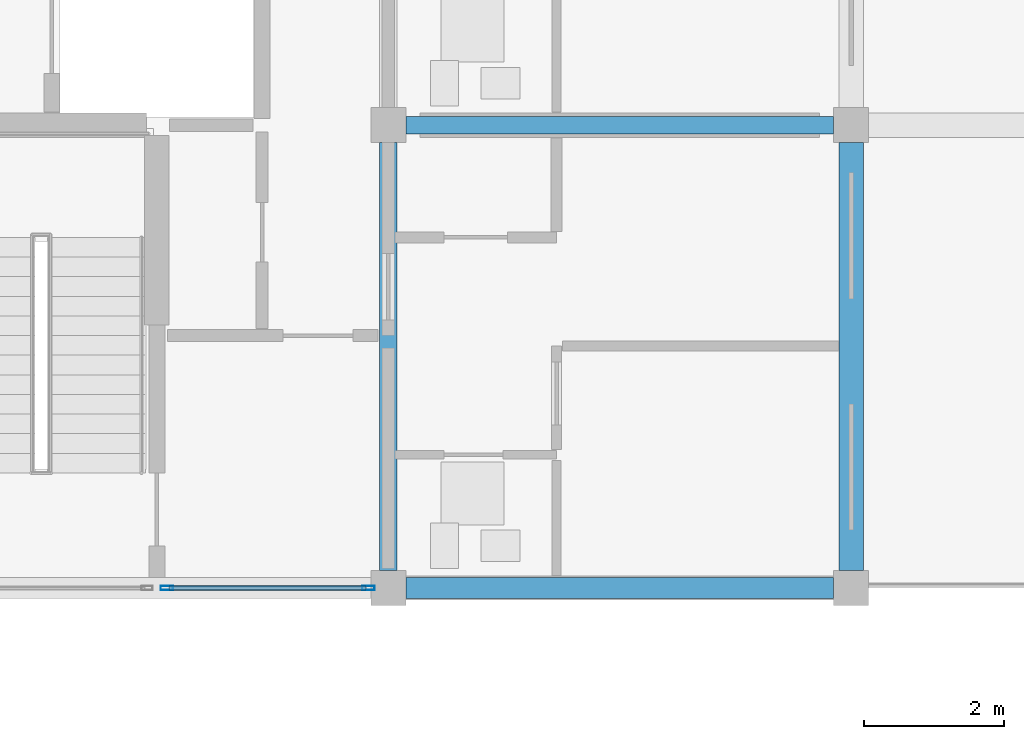
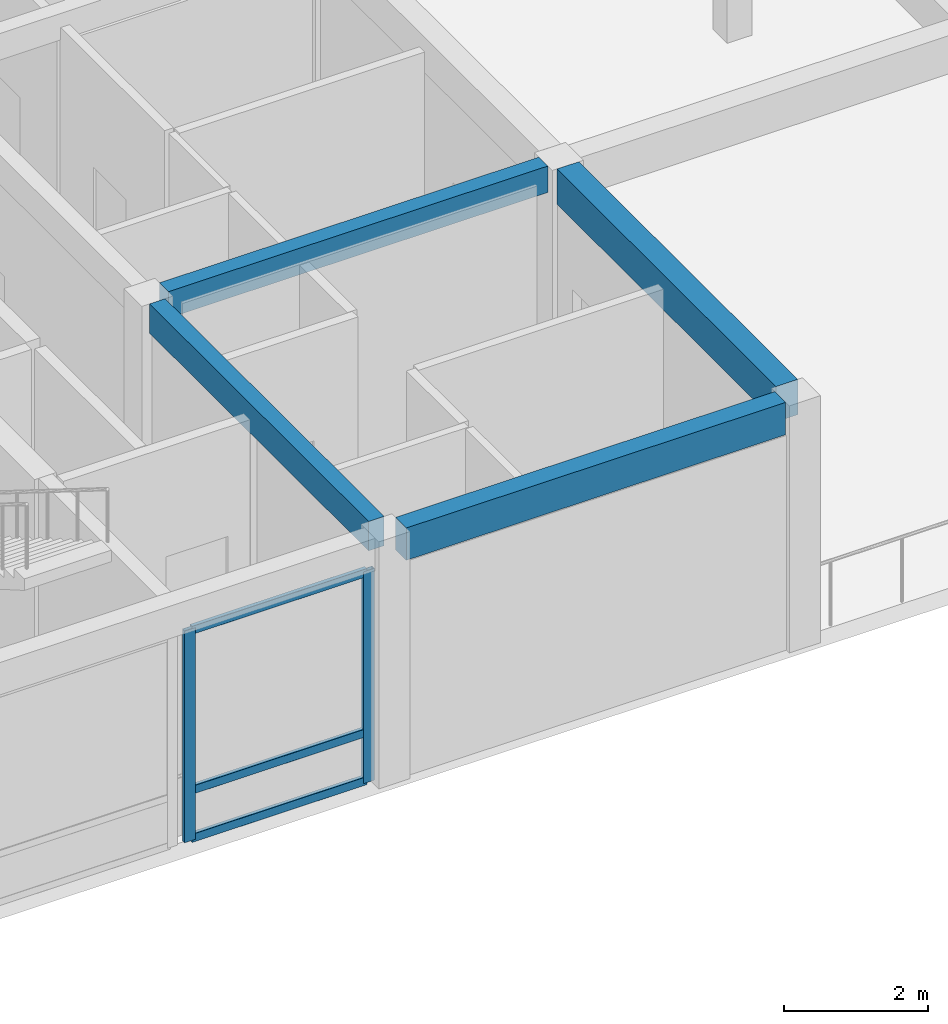
# One storey, part 43 of 92: 5 members, 4 beams, 1 element without a shape of its own.
"""IFC4 building model written with IfcOpenShell, lengths in metres."""

import ifcopenshell
import ifcopenshell.guid

model = None  # the IFC model being written
_history = None  # IfcOwnerHistory: only IFC2X3 demands one
_inside = {}  # id of a spatial element -> (the spatial element, [elements in it])
_under = {}  # id of a project, library or spatial element -> (it, [spatial elements below it])
_declared = {}  # id of a project -> (the project, [libraries it declares])
_typed = {}  # id of a type object -> (the type object, [elements of that type])
_made_of = {}  # id of a material, layer set ... -> (it, [elements and type objects made of it])


def new_model(schema):
    """Start an empty IFC model of exactly this schema.

    Asked for "IFC4X3", IfcOpenShell would pick the latest addendum, in which some entities
    have other attributes; the version numbers below select the first issue.
    IFC2X3 requires an IfcOwnerHistory on every rooted entity: one is made here for all.
    """
    global model, _history
    if schema == "IFC4X3":
        model = ifcopenshell.file(schema_version=(4, 3, 0, 0))
    else:
        model = ifcopenshell.file(schema=schema)
    _inside.clear()
    _under.clear()
    _declared.clear()
    _typed.clear()
    _made_of.clear()
    _history = None
    if model.schema == "IFC2X3":
        org = make("IfcOrganization", Name="unknown")
        user = make(
            "IfcPersonAndOrganization",
            ThePerson=make("IfcPerson", FamilyName="unknown"),
            TheOrganization=org,
        )
        app = make(
            "IfcApplication",
            ApplicationDeveloper=org,
            Version="unknown",
            ApplicationFullName="unknown",
            ApplicationIdentifier="unknown",
        )
        _history = make(
            "IfcOwnerHistory",
            OwningUser=user,
            OwningApplication=app,
            ChangeAction="ADDED",
            CreationDate=0,
        )
    return model


def make(cls, **values):
    """One entity of the class cls with the attributes given. An attribute that is None is left unset."""
    return model.create_entity(
        cls, **{name: value for name, value in values.items() if value is not None}
    )


def rooted(cls, **values):
    """An entity with a GlobalId (a new one), such as an element, a storey or a relation."""
    return make(cls, GlobalId=ifcopenshell.guid.new(), OwnerHistory=_history, **values)


def si_unit(unit_type, name, prefix=None):
    """IfcSIUnit, for example si_unit("LENGTHUNIT", "METRE", prefix="MILLI")."""
    return make("IfcSIUnit", UnitType=unit_type, Prefix=prefix, Name=name)


def assignment(units):
    """IfcUnitAssignment: the units of a project."""
    return None if units is None else make("IfcUnitAssignment", Units=units)


def point(xyz):
    """IfcCartesianPoint."""
    return None if xyz is None else make("IfcCartesianPoint", Coordinates=xyz)


def direction(xyz):
    """IfcDirection."""
    return None if xyz is None else make("IfcDirection", DirectionRatios=xyz)


def frame(location, z_axis=None, x_axis=None):
    """IfcAxis2Placement3D, a coordinate frame: its origin and axes. An axis left out is left unset."""
    return make(
        "IfcAxis2Placement3D",
        Location=point(location),
        Axis=direction(z_axis),
        RefDirection=direction(x_axis),
    )


def frame_2d(location, x_axis=None):
    """IfcAxis2Placement2D, a coordinate frame in the plane: its origin and x axis."""
    return make(
        "IfcAxis2Placement2D", Location=point(location), RefDirection=direction(x_axis)
    )


def origin():
    """The frame at (0, 0, 0) with its axes left unset."""
    return frame((0.0, 0.0, 0.0))


def origin_2d():
    """The frame at (0, 0) in the plane with its x axis left unset."""
    return frame_2d((0.0, 0.0))


def place(relative_to, where):
    """IfcLocalPlacement: puts the frame where relative to a parent placement (None: the world)."""
    return make(
        "IfcLocalPlacement", PlacementRelTo=relative_to, RelativePlacement=where
    )


def context(
    kind, dimensions, precision=None, world=None, true_north=None, identifier=None
):
    """IfcGeometricRepresentationContext, for example the 3D "Model" context."""
    return make(
        "IfcGeometricRepresentationContext",
        ContextIdentifier=identifier,
        ContextType=kind,
        CoordinateSpaceDimension=dimensions,
        Precision=precision,
        WorldCoordinateSystem=world,
        TrueNorth=true_north,
    )


def subcontext(parent, identifier, kind, view, scale=None):
    """IfcGeometricRepresentationSubContext, for example "Body" below "Model"."""
    return make(
        "IfcGeometricRepresentationSubContext",
        ContextIdentifier=identifier,
        ContextType=kind,
        ParentContext=parent,
        TargetScale=scale,
        TargetView=view,
    )


def project(units=None, contexts=None):
    """IfcProject with its units and contexts."""
    return rooted(
        "IfcProject",
        Name="project",
        RepresentationContexts=contexts,
        UnitsInContext=assignment(units),
    )


def spatial(cls, under=None, at=None, **own):
    """A site, building, storey or space (cls), placed at a placement, below another one or the project."""
    s = rooted(cls, ObjectPlacement=at, **own)
    if under is not None:
        _under.setdefault(under.id(), (under, []))[1].append(s)
    return s


def profile(cls, at=None, kind="AREA", **sizes):
    """A parametric profile (cls). Its sizes go by their IFC names, for example OverallWidth=200.0."""
    return make(cls, ProfileType=kind, Position=at, **sizes)


def rectangle(**sizes):
    """IfcRectangleProfileDef."""
    return profile("IfcRectangleProfileDef", **sizes)


def hollow_rectangle(**sizes):
    """IfcRectangleHollowProfileDef."""
    return profile("IfcRectangleHollowProfileDef", **sizes)


def extrude(swept, where, along, depth):
    """IfcExtrudedAreaSolid: the profile swept, set in the frame where, extruded along a direction by depth."""
    return make(
        "IfcExtrudedAreaSolid",
        SweptArea=swept,
        Position=where,
        ExtrudedDirection=direction(along),
        Depth=depth,
    )


def shape(context_of_items, identifier, shape_type, items):
    """IfcShapeRepresentation: the items that make up one representation, for example the "Body"."""
    return make(
        "IfcShapeRepresentation",
        ContextOfItems=context_of_items,
        RepresentationIdentifier=identifier,
        RepresentationType=shape_type,
        Items=items,
    )


def material(Name=None, Category=None):
    """IfcMaterial."""
    return make("IfcMaterial", Name=Name, Category=Category)


def material_profile(
    of_material, cross_section, Name=None, Category=None, Priority=None
):
    """IfcMaterialProfile: a cross section and its material."""
    return make(
        "IfcMaterialProfile",
        Name=Name,
        Material=of_material,
        Profile=cross_section,
        Priority=Priority,
        Category=Category,
    )


def profile_set(profiles, Name=None, composite=None):
    """IfcMaterialProfileSet."""
    return make(
        "IfcMaterialProfileSet",
        Name=Name,
        MaterialProfiles=profiles,
        CompositeProfile=composite,
    )


def made_of(thing, what):
    """Note that an element or type object is made of a material, layer set ...; save() writes the relation."""
    if what is not None:
        _made_of.setdefault(what.id(), (what, []))[1].append(thing)
    return thing


def type_object(cls, material=None, **own):
    """A type object (cls), such as IfcWallType, which elements share."""
    return made_of(rooted(cls, **own), material)


def element(
    cls,
    number,
    at=None,
    inside=None,
    cuts=None,
    type_object=None,
    material=None,
    context=None,
    identifier="Body",
    shape_type=None,
    held_by="IfcProductDefinitionShape",
    body=None,
    shapes=None,
    **own,
):
    """One element of the class cls, such as IfcWall. Its Tag is "e" and its number.

    at: its placement. inside: the storey or other place that contains it. cuts: it is an
    opening in that element (IfcRelVoidsElement). A single representation is given by context,
    identifier, shape_type and body (its items); several are given by shapes. held_by: the class
    of the entity that holds the representations. save() writes the other relations.
    """
    e = rooted(cls, Tag="e%d" % number, ObjectPlacement=at, **own)
    if body is not None:
        shapes = [shape(context, identifier, shape_type, body)]
    if shapes is not None:
        e.Representation = make(held_by, Representations=shapes)
    if inside is not None:
        _inside.setdefault(inside.id(), (inside, []))[1].append(e)
    if cuts is not None:
        rooted(
            "IfcRelVoidsElement", RelatingBuildingElement=cuts, RelatedOpeningElement=e
        )
    if type_object is not None:
        _typed.setdefault(type_object.id(), (type_object, []))[1].append(e)
    return made_of(e, material)


def aggregate(whole, parts):
    """IfcRelAggregates: a whole, such as a stair, and the parts it consists of."""
    return rooted("IfcRelAggregates", RelatingObject=whole, RelatedObjects=parts)


def save(model, path):
    """Write the relations noted so far, then the file.

    IfcRelAggregates (storeys below a building ...), IfcRelContainedInSpatialStructure (elements
    in a storey), IfcRelDefinesByType, IfcRelAssociatesMaterial and IfcRelDeclares: one each for
    every whole, place, type object, material and project.
    """
    for whole, parts in _under.values():
        aggregate(whole, parts)
    for where, things in _inside.values():
        rooted(
            "IfcRelContainedInSpatialStructure",
            RelatedElements=things,
            RelatingStructure=where,
        )
    for kind, things in _typed.values():
        rooted("IfcRelDefinesByType", RelatedObjects=things, RelatingType=kind)
    for what, things in _made_of.values():
        rooted("IfcRelAssociatesMaterial", RelatedObjects=things, RelatingMaterial=what)
    for by, libraries in _declared.values():
        rooted("IfcRelDeclares", RelatingContext=by, RelatedDefinitions=libraries)
    model.write(path)


model = new_model("IFC4")

# Units and contexts
model_context = context("Model", 3, precision=1e-05, world=origin(), true_north=direction((0.0, 1.0)))
body_context = subcontext(model_context, "Body", "Model", "MODEL_VIEW")
ifc_project = project(units=[si_unit("LENGTHUNIT", "METRE"), si_unit("AREAUNIT", "SQUARE_METRE"), si_unit("VOLUMEUNIT", "CUBIC_METRE"), si_unit("PLANEANGLEUNIT", "RADIAN"), si_unit("MASSUNIT", "GRAM", prefix="KILO")], contexts=[model_context])

# Site, building, storey
site_placement = place(None, origin())
site = spatial("IfcSite", under=ifc_project, at=site_placement, CompositionType="ELEMENT")
building_placement = place(site_placement, origin())
building = spatial("IfcBuilding", under=site, at=building_placement, Name="Kernevlak Ridge Housing Community", CompositionType="ELEMENT")
storey_placement = place(building_placement, frame((0.0, 0.0, 4.199951171875)))
storey = spatial("IfcBuildingStorey", under=building, at=storey_placement, Name="L01", CompositionType="ELEMENT", Elevation=4.199951171875)

# Beams
ifc_material_1 = material(Name="Concrete C35/45", Category="concrete")
ifc_material_profile_1 = material_profile(ifc_material_1, rectangle(XDim=0.25, YDim=0.449951171875, at=origin_2d()), Name="RC 250x450")
ifc_profile_set_1 = profile_set([ifc_material_profile_1], Name="Concrete C35/45")
beam_type_1 = type_object("IfcBeamType", Name="B-04", PredefinedType="T_BEAM", material=ifc_profile_set_1)
beam_1_placement = place(storey_placement, frame((139.449951171875, 22.199951171875, 3.97509765625), z_axis=(1.0, 0.0, 0.0), x_axis=(0.0, 1.0, 0.0)))
element("IfcBeam", 1, at=beam_1_placement, inside=storey, type_object=beam_type_1, Name="Beam B-04 L01 1037", PredefinedType="T_BEAM", context=body_context, shape_type="SweptSolid", body=[
    extrude(rectangle(XDim=0.25, YDim=0.449951171875, at=origin_2d()), origin(), (0.0, 0.0, 1.0), 6.10009765625),
])
ifc_material_profile_2 = material_profile(ifc_material_1, rectangle(XDim=0.25, YDim=0.5, at=origin_2d()), Name="RC 250x500")
ifc_profile_set_2 = profile_set([ifc_material_profile_2], Name="Concrete C35/45")
beam_type_2 = type_object("IfcBeamType", Name="B-06", PredefinedType="T_BEAM", material=ifc_profile_set_2)
beam_2_placement = place(storey_placement, frame((139.199951171875, 15.85009765625, 3.949951171875), z_axis=(0.0, 1.0, 0.0), x_axis=(-1.0, 0.0, 0.0)))
element("IfcBeam", 2, at=beam_2_placement, inside=storey, type_object=beam_type_2, Name="Beam B-06 L01 1025", PredefinedType="T_BEAM", context=body_context, shape_type="SweptSolid", body=[
    extrude(rectangle(XDim=0.25, YDim=0.5, at=origin_2d()), origin(), (0.0, 0.0, 1.0), 6.099853515625),
])

# Curtain wall, members
ifc_material_2 = material(Name="Aluminium EN AW-6060 anodised and laminated glass", Category="aluminium")
curtain_wall_type = type_object("IfcCurtainWallType", Name="CW-14", PredefinedType="NOTDEFINED", material=ifc_material_2)
curtain_wall_placement = place(storey_placement, origin())
curtain_wall = element("IfcCurtainWall", 3, at=curtain_wall_placement, inside=storey, type_object=curtain_wall_type, Name="Curtain wall CW-14 CW-L01-104", PredefinedType="NOTDEFINED")
ifc_material_3 = material(Name="Aluminium EN AW-6060 anodised", Category="aluminium")
ifc_material_profile_3 = material_profile(ifc_material_3, hollow_rectangle(XDim=0.06494140625, YDim=0.179931640625, WallThickness=0.00439453125, InnerFilletRadius=0.001953125, OuterFilletRadius=0.00439453125, at=origin_2d()), Name="ALU 65x180x4.5")
ifc_profile_set_3 = profile_set([ifc_material_profile_3], Name="Aluminium EN AW-6060 anodised")
member_type_1 = type_object("IfcMemberType", Name="MU-03", PredefinedType="MULLION", material=ifc_profile_set_3)
member_1_placement = place(storey_placement, frame((136.04248046875, 15.60009765625, 0.0), z_axis=(0.0, 0.0, 1.0), x_axis=(0.0, 1.0, 0.0)))
member_1 = element("IfcMember", 4, at=member_1_placement, type_object=member_type_1, Name="CW-14 mullion 1", PredefinedType="MULLION", context=body_context, shape_type="SweptSolid", body=[
    extrude(hollow_rectangle(XDim=0.06494140625, YDim=0.179931640625, WallThickness=0.00439453125, InnerFilletRadius=0.001953125, OuterFilletRadius=0.00439453125, at=origin_2d()), origin(), (0.0, 0.0, 1.0), 3.60009765625),
])
member_2_placement = place(storey_placement, frame((138.91748046875, 15.60009765625, 0.0), z_axis=(0.0, 0.0, 1.0), x_axis=(0.0, 1.0, 0.0)))
member_2 = element("IfcMember", 5, at=member_2_placement, type_object=member_type_1, Name="CW-14 mullion 2", PredefinedType="MULLION", context=body_context, shape_type="SweptSolid", body=[
    extrude(hollow_rectangle(XDim=0.06494140625, YDim=0.179931640625, WallThickness=0.00439453125, InnerFilletRadius=0.001953125, OuterFilletRadius=0.00439453125, at=origin_2d()), origin(), (0.0, 0.0, 1.0), 3.60009765625),
])

# Beams
ifc_material_profile_4 = material_profile(ifc_material_1, rectangle(XDim=0.300048828125, YDim=0.550048828125, at=origin_2d()), Name="RC 300x550")
ifc_profile_set_4 = profile_set([ifc_material_profile_4], Name="Concrete C35/45")
beam_type_3 = type_object("IfcBeamType", Name="SP-01", PredefinedType="SPANDREL", material=ifc_profile_set_4)
beam_3_placement = place(storey_placement, frame((139.449951171875, 15.60009765625, 3.925048828125), z_axis=(1.0, 0.0, 0.0), x_axis=(0.0, 1.0, 0.0)))
element("IfcBeam", 6, at=beam_3_placement, inside=storey, type_object=beam_type_3, Name="Beam SP-01 L01 1035", PredefinedType="SPANDREL", context=body_context, shape_type="SweptSolid", body=[
    extrude(rectangle(XDim=0.300048828125, YDim=0.550048828125, at=origin_2d()), origin(), (0.0, 0.0, 1.0), 6.10009765625),
])
ifc_material_profile_5 = material_profile(ifc_material_1, rectangle(XDim=0.35009765625, YDim=0.60009765625, at=origin_2d()), Name="RC 350x600")
ifc_profile_set_5 = profile_set([ifc_material_profile_5], Name="Concrete C35/45")
beam_type_4 = type_object("IfcBeamType", Name="SP-03", PredefinedType="SPANDREL", material=ifc_profile_set_5)
beam_4_placement = place(storey_placement, frame((145.800048828125, 15.85009765625, 3.900146484375), z_axis=(0.0, 1.0, 0.0), x_axis=(-1.0, 0.0, 0.0)))
element("IfcBeam", 7, at=beam_4_placement, inside=storey, type_object=beam_type_4, Name="Beam SP-03 L01 1029", PredefinedType="SPANDREL", context=body_context, shape_type="SweptSolid", body=[
    extrude(rectangle(XDim=0.35009765625, YDim=0.60009765625, at=origin_2d()), origin(), (0.0, 0.0, 1.0), 6.099853515625),
])

# Member
ifc_material_profile_6 = material_profile(ifc_material_3, hollow_rectangle(XDim=0.06494140625, YDim=0.139892578125, WallThickness=0.00390625, InnerFilletRadius=0.001953125, OuterFilletRadius=0.00390625, at=origin_2d()), Name="ALU 65x140x4")
ifc_profile_set_6 = profile_set([ifc_material_profile_6], Name="Aluminium EN AW-6060 anodised")
member_type_2 = type_object("IfcMemberType", Name="TM-03", PredefinedType="USERDEFINED", material=ifc_profile_set_6)
member_3_placement = place(storey_placement, frame((136.074951171875, 15.60009765625, 0.032470703125), z_axis=(1.0, 0.0, 0.0), x_axis=(0.0, 1.0, 0.0)))
member_3 = element("IfcMember", 8, at=member_3_placement, type_object=member_type_2, Name="CW-14 transom 1.1", ObjectType="TRANSOM", PredefinedType="USERDEFINED", context=body_context, shape_type="SweptSolid", body=[
    extrude(hollow_rectangle(XDim=0.06494140625, YDim=0.139892578125, WallThickness=0.00390625, InnerFilletRadius=0.001953125, OuterFilletRadius=0.00390625, at=origin_2d()), origin(), (0.0, 0.0, 1.0), 2.81005859375),
])

member_4_placement = place(storey_placement, frame((136.074951171875, 15.60009765625, 0.85009765625), z_axis=(1.0, 0.0, 0.0), x_axis=(0.0, 1.0, 0.0)))
member_4 = element("IfcMember", 9, at=member_4_placement, type_object=member_type_2, Name="CW-14 transom 1.2", ObjectType="TRANSOM", PredefinedType="USERDEFINED", context=body_context, shape_type="SweptSolid", body=[
    extrude(hollow_rectangle(XDim=0.06494140625, YDim=0.139892578125, WallThickness=0.00390625, InnerFilletRadius=0.001953125, OuterFilletRadius=0.00390625, at=origin_2d()), origin(), (0.0, 0.0, 1.0), 2.81005859375),
])

member_5_placement = place(storey_placement, frame((136.074951171875, 15.60009765625, 3.567626953125), z_axis=(1.0, 0.0, 0.0), x_axis=(0.0, 1.0, 0.0)))
member_5 = element("IfcMember", 10, at=member_5_placement, type_object=member_type_2, Name="CW-14 transom 1.3", ObjectType="TRANSOM", PredefinedType="USERDEFINED", context=body_context, shape_type="SweptSolid", body=[
    extrude(hollow_rectangle(XDim=0.06494140625, YDim=0.139892578125, WallThickness=0.00390625, InnerFilletRadius=0.001953125, OuterFilletRadius=0.00390625, at=origin_2d()), origin(), (0.0, 0.0, 1.0), 2.81005859375),
])

aggregate(curtain_wall, [member_1, member_2, member_3, member_4, member_5])

save(model, "model.ifc")
